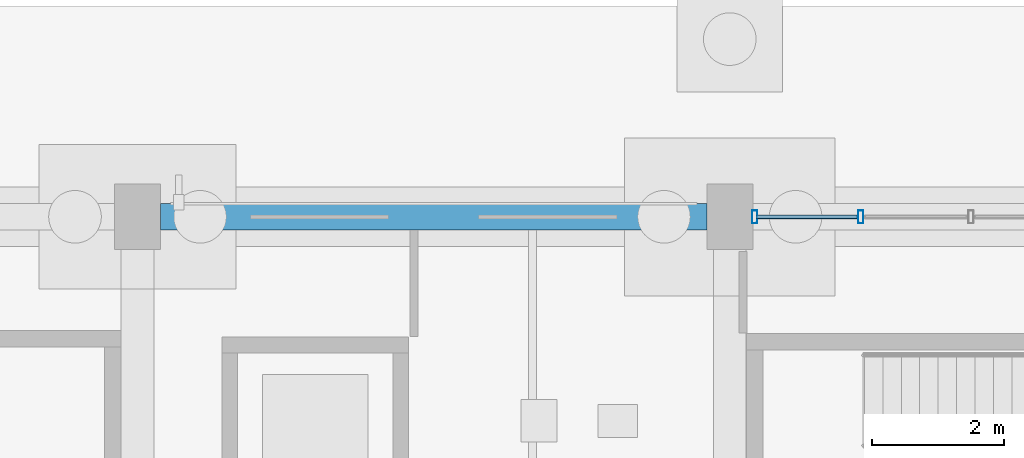
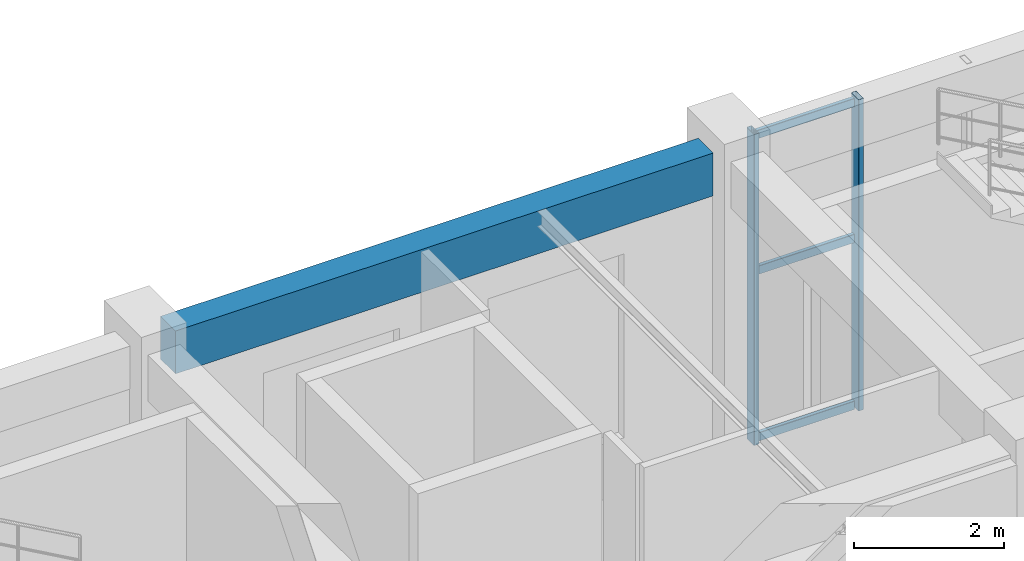
# One storey, part 38 of 121: 5 members, 1 beam, 1 element without a shape of its own.
"""IFC4 building model written with IfcOpenShell, lengths in metres."""

import ifcopenshell
import ifcopenshell.guid

model = None  # the IFC model being written
_history = None  # IfcOwnerHistory: only IFC2X3 demands one
_inside = {}  # id of a spatial element -> (the spatial element, [elements in it])
_under = {}  # id of a project, library or spatial element -> (it, [spatial elements below it])
_declared = {}  # id of a project -> (the project, [libraries it declares])
_typed = {}  # id of a type object -> (the type object, [elements of that type])
_made_of = {}  # id of a material, layer set ... -> (it, [elements and type objects made of it])


def new_model(schema):
    """Start an empty IFC model of exactly this schema.

    Asked for "IFC4X3", IfcOpenShell would pick the latest addendum, in which some entities
    have other attributes; the version numbers below select the first issue.
    IFC2X3 requires an IfcOwnerHistory on every rooted entity: one is made here for all.
    """
    global model, _history
    if schema == "IFC4X3":
        model = ifcopenshell.file(schema_version=(4, 3, 0, 0))
    else:
        model = ifcopenshell.file(schema=schema)
    _inside.clear()
    _under.clear()
    _declared.clear()
    _typed.clear()
    _made_of.clear()
    _history = None
    if model.schema == "IFC2X3":
        org = make("IfcOrganization", Name="unknown")
        user = make(
            "IfcPersonAndOrganization",
            ThePerson=make("IfcPerson", FamilyName="unknown"),
            TheOrganization=org,
        )
        app = make(
            "IfcApplication",
            ApplicationDeveloper=org,
            Version="unknown",
            ApplicationFullName="unknown",
            ApplicationIdentifier="unknown",
        )
        _history = make(
            "IfcOwnerHistory",
            OwningUser=user,
            OwningApplication=app,
            ChangeAction="ADDED",
            CreationDate=0,
        )
    return model


def make(cls, **values):
    """One entity of the class cls with the attributes given. An attribute that is None is left unset."""
    return model.create_entity(
        cls, **{name: value for name, value in values.items() if value is not None}
    )


def rooted(cls, **values):
    """An entity with a GlobalId (a new one), such as an element, a storey or a relation."""
    return make(cls, GlobalId=ifcopenshell.guid.new(), OwnerHistory=_history, **values)


def si_unit(unit_type, name, prefix=None):
    """IfcSIUnit, for example si_unit("LENGTHUNIT", "METRE", prefix="MILLI")."""
    return make("IfcSIUnit", UnitType=unit_type, Prefix=prefix, Name=name)


def derived_unit(unit_type, elements):
    """IfcDerivedUnit: a product of units, each with its exponent."""
    return make(
        "IfcDerivedUnit",
        Elements=[
            make("IfcDerivedUnitElement", Unit=unit, Exponent=power)
            for unit, power in elements
        ],
        UnitType=unit_type,
    )


def assignment(units):
    """IfcUnitAssignment: the units of a project."""
    return None if units is None else make("IfcUnitAssignment", Units=units)


def point(xyz):
    """IfcCartesianPoint."""
    return None if xyz is None else make("IfcCartesianPoint", Coordinates=xyz)


def direction(xyz):
    """IfcDirection."""
    return None if xyz is None else make("IfcDirection", DirectionRatios=xyz)


def frame(location, z_axis=None, x_axis=None):
    """IfcAxis2Placement3D, a coordinate frame: its origin and axes. An axis left out is left unset."""
    return make(
        "IfcAxis2Placement3D",
        Location=point(location),
        Axis=direction(z_axis),
        RefDirection=direction(x_axis),
    )


def frame_2d(location, x_axis=None):
    """IfcAxis2Placement2D, a coordinate frame in the plane: its origin and x axis."""
    return make(
        "IfcAxis2Placement2D", Location=point(location), RefDirection=direction(x_axis)
    )


def origin():
    """The frame at (0, 0, 0) with its axes left unset."""
    return frame((0.0, 0.0, 0.0))


def origin_2d():
    """The frame at (0, 0) in the plane with its x axis left unset."""
    return frame_2d((0.0, 0.0))


def place(relative_to, where):
    """IfcLocalPlacement: puts the frame where relative to a parent placement (None: the world)."""
    return make(
        "IfcLocalPlacement", PlacementRelTo=relative_to, RelativePlacement=where
    )


def context(
    kind, dimensions, precision=None, world=None, true_north=None, identifier=None
):
    """IfcGeometricRepresentationContext, for example the 3D "Model" context."""
    return make(
        "IfcGeometricRepresentationContext",
        ContextIdentifier=identifier,
        ContextType=kind,
        CoordinateSpaceDimension=dimensions,
        Precision=precision,
        WorldCoordinateSystem=world,
        TrueNorth=true_north,
    )


def subcontext(parent, identifier, kind, view, scale=None):
    """IfcGeometricRepresentationSubContext, for example "Body" below "Model"."""
    return make(
        "IfcGeometricRepresentationSubContext",
        ContextIdentifier=identifier,
        ContextType=kind,
        ParentContext=parent,
        TargetScale=scale,
        TargetView=view,
    )


def project(units=None, contexts=None):
    """IfcProject with its units and contexts."""
    return rooted(
        "IfcProject",
        Name="project",
        RepresentationContexts=contexts,
        UnitsInContext=assignment(units),
    )


def spatial(cls, under=None, at=None, **own):
    """A site, building, storey or space (cls), placed at a placement, below another one or the project."""
    s = rooted(cls, ObjectPlacement=at, **own)
    if under is not None:
        _under.setdefault(under.id(), (under, []))[1].append(s)
    return s


def profile(cls, at=None, kind="AREA", **sizes):
    """A parametric profile (cls). Its sizes go by their IFC names, for example OverallWidth=200.0."""
    return make(cls, ProfileType=kind, Position=at, **sizes)


def rectangle(**sizes):
    """IfcRectangleProfileDef."""
    return profile("IfcRectangleProfileDef", **sizes)


def hollow_rectangle(**sizes):
    """IfcRectangleHollowProfileDef."""
    return profile("IfcRectangleHollowProfileDef", **sizes)


def extrude(swept, where, along, depth):
    """IfcExtrudedAreaSolid: the profile swept, set in the frame where, extruded along a direction by depth."""
    return make(
        "IfcExtrudedAreaSolid",
        SweptArea=swept,
        Position=where,
        ExtrudedDirection=direction(along),
        Depth=depth,
    )


def shape(context_of_items, identifier, shape_type, items):
    """IfcShapeRepresentation: the items that make up one representation, for example the "Body"."""
    return make(
        "IfcShapeRepresentation",
        ContextOfItems=context_of_items,
        RepresentationIdentifier=identifier,
        RepresentationType=shape_type,
        Items=items,
    )


def material(Name=None, Category=None):
    """IfcMaterial."""
    return make("IfcMaterial", Name=Name, Category=Category)


def material_profile(
    of_material, cross_section, Name=None, Category=None, Priority=None
):
    """IfcMaterialProfile: a cross section and its material."""
    return make(
        "IfcMaterialProfile",
        Name=Name,
        Material=of_material,
        Profile=cross_section,
        Priority=Priority,
        Category=Category,
    )


def profile_set(profiles, Name=None, composite=None):
    """IfcMaterialProfileSet."""
    return make(
        "IfcMaterialProfileSet",
        Name=Name,
        MaterialProfiles=profiles,
        CompositeProfile=composite,
    )


def made_of(thing, what):
    """Note that an element or type object is made of a material, layer set ...; save() writes the relation."""
    if what is not None:
        _made_of.setdefault(what.id(), (what, []))[1].append(thing)
    return thing


def type_object(cls, material=None, **own):
    """A type object (cls), such as IfcWallType, which elements share."""
    return made_of(rooted(cls, **own), material)


def element(
    cls,
    number,
    at=None,
    inside=None,
    cuts=None,
    type_object=None,
    material=None,
    context=None,
    identifier="Body",
    shape_type=None,
    held_by="IfcProductDefinitionShape",
    body=None,
    shapes=None,
    **own,
):
    """One element of the class cls, such as IfcWall. Its Tag is "e" and its number.

    at: its placement. inside: the storey or other place that contains it. cuts: it is an
    opening in that element (IfcRelVoidsElement). A single representation is given by context,
    identifier, shape_type and body (its items); several are given by shapes. held_by: the class
    of the entity that holds the representations. save() writes the other relations.
    """
    e = rooted(cls, Tag="e%d" % number, ObjectPlacement=at, **own)
    if body is not None:
        shapes = [shape(context, identifier, shape_type, body)]
    if shapes is not None:
        e.Representation = make(held_by, Representations=shapes)
    if inside is not None:
        _inside.setdefault(inside.id(), (inside, []))[1].append(e)
    if cuts is not None:
        rooted(
            "IfcRelVoidsElement", RelatingBuildingElement=cuts, RelatedOpeningElement=e
        )
    if type_object is not None:
        _typed.setdefault(type_object.id(), (type_object, []))[1].append(e)
    return made_of(e, material)


def aggregate(whole, parts):
    """IfcRelAggregates: a whole, such as a stair, and the parts it consists of."""
    return rooted("IfcRelAggregates", RelatingObject=whole, RelatedObjects=parts)


def save(model, path):
    """Write the relations noted so far, then the file.

    IfcRelAggregates (storeys below a building ...), IfcRelContainedInSpatialStructure (elements
    in a storey), IfcRelDefinesByType, IfcRelAssociatesMaterial and IfcRelDeclares: one each for
    every whole, place, type object, material and project.
    """
    for whole, parts in _under.values():
        aggregate(whole, parts)
    for where, things in _inside.values():
        rooted(
            "IfcRelContainedInSpatialStructure",
            RelatedElements=things,
            RelatingStructure=where,
        )
    for kind, things in _typed.values():
        rooted("IfcRelDefinesByType", RelatedObjects=things, RelatingType=kind)
    for what, things in _made_of.values():
        rooted("IfcRelAssociatesMaterial", RelatedObjects=things, RelatingMaterial=what)
    for by, libraries in _declared.values():
        rooted("IfcRelDeclares", RelatingContext=by, RelatedDefinitions=libraries)
    model.write(path)


model = new_model("IFC4")

# Units and contexts
model_context = context("Model", 3, precision=1e-05, world=origin(), true_north=direction((0.0, 1.0)))
body_context = subcontext(model_context, "Body", "Model", "MODEL_VIEW")
ifc_project = project(units=[si_unit("LENGTHUNIT", "METRE"), si_unit("AREAUNIT", "SQUARE_METRE"), si_unit("VOLUMEUNIT", "CUBIC_METRE"), si_unit("PLANEANGLEUNIT", "RADIAN"), si_unit("MASSUNIT", "GRAM", prefix="KILO"), derived_unit("THERMALTRANSMITTANCEUNIT", [(si_unit("MASSUNIT", "GRAM", prefix="KILO"), 1), (si_unit("TIMEUNIT", "SECOND"), -3), (si_unit("THERMODYNAMICTEMPERATUREUNIT", "KELVIN"), -1)])], contexts=[model_context])

# Site, building, storey
site_placement = place(None, origin())
site = spatial("IfcSite", under=ifc_project, at=site_placement, CompositionType="ELEMENT")
building_placement = place(site_placement, origin())
building = spatial("IfcBuilding", under=site, at=building_placement, Name="Zhenchuan Archway Interchange", CompositionType="ELEMENT")
storey_placement = place(building_placement, origin())
storey = spatial("IfcBuildingStorey", under=building, at=storey_placement, Name="L00", CompositionType="ELEMENT", Elevation=0.0)

# Curtain wall, members
ifc_material_1 = material(Name="Anodised Aluminium", Category="aluminium")
curtain_wall_type = type_object("IfcCurtainWallType", Name="CW_UNIT_2", PredefinedType="NOTDEFINED", material=ifc_material_1)
curtain_wall_placement = place(storey_placement, origin())
curtain_wall = element("IfcCurtainWall", 1, at=curtain_wall_placement, inside=storey, type_object=curtain_wall_type, Name="Unitised curtain wall CW:L00:005", PredefinedType="NOTDEFINED")
ifc_material_profile_1 = material_profile(ifc_material_1, hollow_rectangle(XDim=0.080078125, YDim=0.199951171875, WallThickness=0.00439453125, InnerFilletRadius=0.00439453125, OuterFilletRadius=0.009033203125, at=origin_2d()), Name="ALU 200x80x4.5")
ifc_profile_set_1 = profile_set([ifc_material_profile_1], Name="Anodised Aluminium")
member_type_1 = type_object("IfcMemberType", Name="CW_MUL_200", PredefinedType="MULLION", material=ifc_profile_set_1)
member_1_placement = place(storey_placement, frame((27.3779296875, 112.0, 0.0), z_axis=(0.0, 0.0, 1.0), x_axis=(1.0, 0.0, 0.0)))
member_1 = element("IfcMember", 2, at=member_1_placement, type_object=member_type_1, Name="CW:L00:005 mullion 0", PredefinedType="MULLION", context=body_context, shape_type="SweptSolid", body=[
    extrude(hollow_rectangle(XDim=0.080078125, YDim=0.199951171875, WallThickness=0.00439453125, InnerFilletRadius=0.00439453125, OuterFilletRadius=0.009033203125, at=origin_2d()), origin(), (0.0, 0.0, 1.0), 5.080078125),
])
member_2_placement = place(storey_placement, frame((28.99072265625, 112.0, 0.0), z_axis=(0.0, 0.0, 1.0), x_axis=(1.0, 0.0, 0.0)))
member_2 = element("IfcMember", 3, at=member_2_placement, type_object=member_type_1, Name="CW:L00:005 mullion 1", PredefinedType="MULLION", context=body_context, shape_type="SweptSolid", body=[
    extrude(hollow_rectangle(XDim=0.080078125, YDim=0.199951171875, WallThickness=0.00439453125, InnerFilletRadius=0.00439453125, OuterFilletRadius=0.009033203125, at=origin_2d()), origin(), (0.0, 0.0, 1.0), 5.080078125),
])
ifc_material_profile_2 = material_profile(ifc_material_1, hollow_rectangle(XDim=0.06005859375, YDim=0.139892578125, WallThickness=0.00341796875, InnerFilletRadius=0.00341796875, OuterFilletRadius=0.007080078125, at=origin_2d()), Name="ALU 140x60x3.5")
ifc_profile_set_2 = profile_set([ifc_material_profile_2], Name="Anodised Aluminium")
member_type_2 = type_object("IfcMemberType", Name="CW_TRN_140", PredefinedType="USERDEFINED", material=ifc_profile_set_2)
member_3_placement = place(storey_placement, frame((27.39794921875, 112.0, 0.06005859375), z_axis=(1.0, 0.0, 0.0), x_axis=(0.0, 1.0, 0.0)))
member_3 = element("IfcMember", 4, at=member_3_placement, type_object=member_type_2, Name="CW:L00:005 transom 0-1", ObjectType="TRANSOM", PredefinedType="USERDEFINED", context=body_context, shape_type="SweptSolid", body=[
    extrude(hollow_rectangle(XDim=0.06005859375, YDim=0.139892578125, WallThickness=0.00341796875, InnerFilletRadius=0.00341796875, OuterFilletRadius=0.007080078125, at=origin_2d()), origin(), (0.0, 0.0, 1.0), 1.532958984375),
])
member_4_placement = place(storey_placement, frame((27.39794921875, 112.0, 2.782958984375), z_axis=(1.0, 0.0, 0.0), x_axis=(0.0, 1.0, 0.0)))
member_4 = element("IfcMember", 5, at=member_4_placement, type_object=member_type_2, Name="CW:L00:005 transom 0-2", ObjectType="TRANSOM", PredefinedType="USERDEFINED", context=body_context, shape_type="SweptSolid", body=[
    extrude(hollow_rectangle(XDim=0.06005859375, YDim=0.139892578125, WallThickness=0.00341796875, InnerFilletRadius=0.00341796875, OuterFilletRadius=0.007080078125, at=origin_2d()), origin(), (0.0, 0.0, 1.0), 1.532958984375),
])
member_5_placement = place(storey_placement, frame((27.39794921875, 112.0, 5.0), z_axis=(1.0, 0.0, 0.0), x_axis=(0.0, 1.0, 0.0)))
member_5 = element("IfcMember", 6, at=member_5_placement, type_object=member_type_2, Name="CW:L00:005 transom 0-3", ObjectType="TRANSOM", PredefinedType="USERDEFINED", context=body_context, shape_type="SweptSolid", body=[
    extrude(hollow_rectangle(XDim=0.06005859375, YDim=0.139892578125, WallThickness=0.00341796875, InnerFilletRadius=0.00341796875, OuterFilletRadius=0.007080078125, at=origin_2d()), origin(), (0.0, 0.0, 1.0), 1.532958984375),
])
aggregate(curtain_wall, [member_1, member_2, member_3, member_4, member_5])

# Beam
ifc_material_2 = material(Name="Concrete C40", Category="concrete")
ifc_material_profile_3 = material_profile(ifc_material_2, rectangle(XDim=0.39990234375, YDim=0.699951171875, at=origin_2d()), Name="RC 400x700")
ifc_profile_set_3 = profile_set([ifc_material_profile_3], Name="Concrete C40")
beam_type = type_object("IfcBeamType", Name="SP_RC_400x700", PredefinedType="SPANDREL", material=ifc_profile_set_3)
beam_placement = place(storey_placement, frame((18.35009765625, 112.0, 4.72998046875), z_axis=(1.0, 0.0, 0.0), x_axis=(0.0, 1.0, 0.0)))
element("IfcBeam", 7, at=beam_placement, inside=storey, type_object=beam_type, Name="Beam P:3-4 (L00)", PredefinedType="SPANDREL", context=body_context, shape_type="SweptSolid", body=[
    extrude(rectangle(XDim=0.39990234375, YDim=0.699951171875, at=origin_2d()), origin(), (0.0, 0.0, 1.0), 8.2998046875),
])

save(model, "model.ifc")
